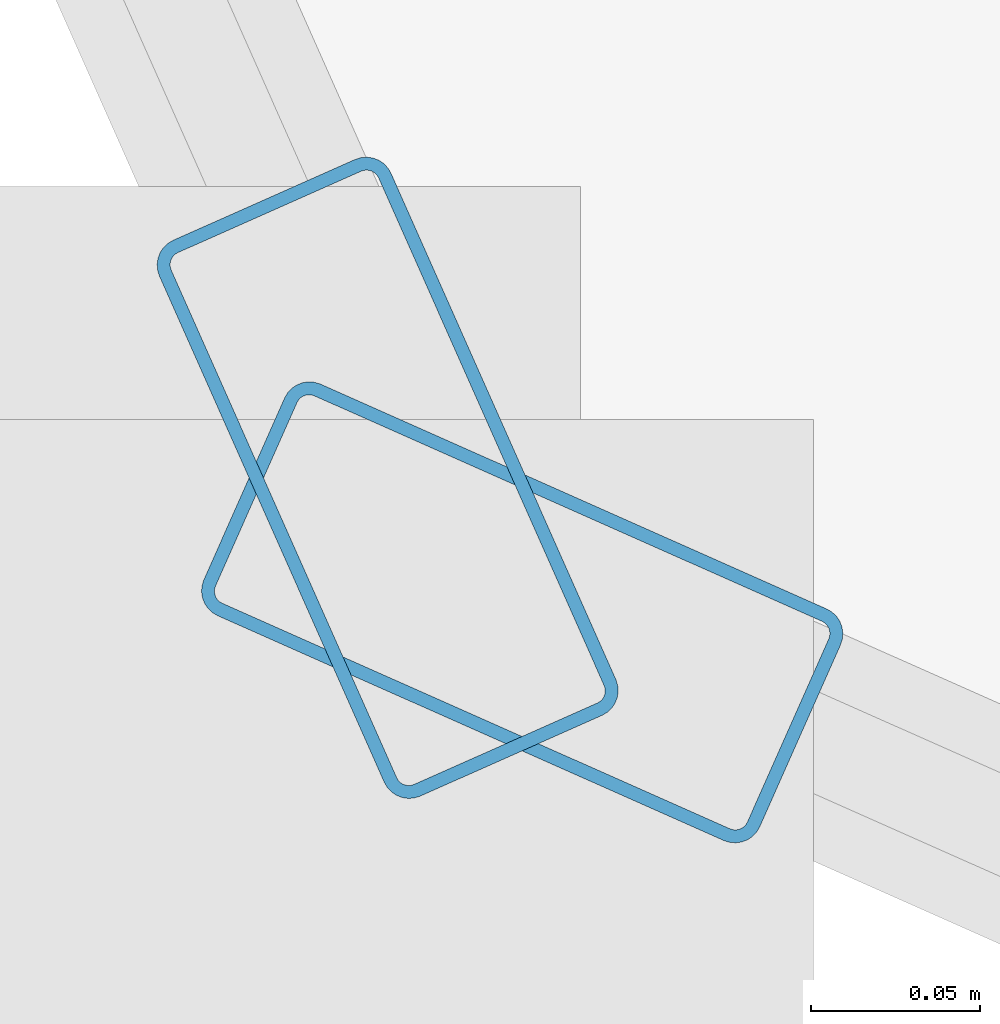
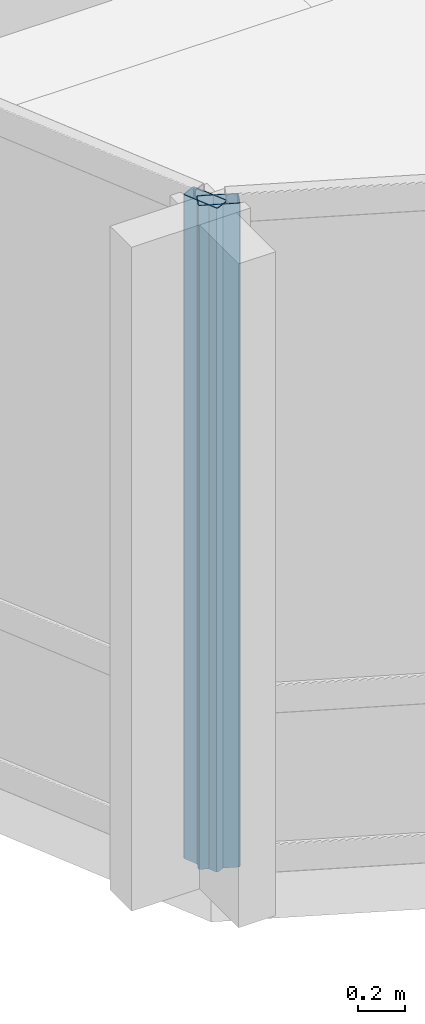
# One storey, part 2 of 34: 2 members, 2 elements without a shape of their own.
"""IFC4 building model written with IfcOpenShell, lengths in metres."""

from ifc_helpers import new_model, si_unit, direction, frame, origin, origin_2d, place, context, subcontext, project, spatial, hollow_rectangle, extrude, material, layer, layer_set, material_profile, profile_set, type_object, element, aggregate, save


model = new_model("IFC4")

# Units and contexts
model_context = context("Model", 3, precision=1e-05, world=origin(), true_north=direction((0.0, 1.0)))
body_context = subcontext(model_context, "Body", "Model", "MODEL_VIEW")
ifc_project = project(units=[si_unit("LENGTHUNIT", "METRE"), si_unit("AREAUNIT", "SQUARE_METRE"), si_unit("VOLUMEUNIT", "CUBIC_METRE"), si_unit("PLANEANGLEUNIT", "RADIAN"), si_unit("MASSUNIT", "GRAM", prefix="KILO")], contexts=[model_context])

# Site, building, storey
site_placement = place(None, origin())
site = spatial("IfcSite", under=ifc_project, at=site_placement, CompositionType="ELEMENT")
building_placement = place(site_placement, origin())
building = spatial("IfcBuilding", under=site, at=building_placement, Name="Solvaryn Broadcast Tower", CompositionType="ELEMENT")
storey_placement = place(building_placement, frame((0.0, 0.0, 39.699951171875)))
storey = spatial("IfcBuildingStorey", under=building, at=storey_placement, Name="L08", CompositionType="ELEMENT", Elevation=39.699951171875)

# Curtain wall, member
ifc_material_1 = material(Name="Aluminium and Terracotta Unitised Curtain Wall", Category="masonry")
ifc_layer = layer(ifc_material_1, 0.199951171875)
ifc_layer_set = layer_set([ifc_layer], Name="CW-SYS2-LOWMID")
curtain_wall_type = type_object("IfcCurtainWallType", Name="CW-SYS2-LOWMID", PredefinedType="NOTDEFINED", material=ifc_layer_set)
curtain_wall_1_placement = place(storey_placement, origin())
curtain_wall_1 = element("IfcCurtainWall", 1, at=curtain_wall_1_placement, inside=storey, type_object=curtain_wall_type, Name="L08 Curtain Wall DR2", PredefinedType="NOTDEFINED")
ifc_material_2 = material(Name="Anodised Aluminium 6063-T6", Category="aluminium")
ifc_material_profile = material_profile(ifc_material_2, hollow_rectangle(XDim=0.074951171875, YDim=0.179931640625, WallThickness=0.00390625, InnerFilletRadius=0.00390625, OuterFilletRadius=0.008056640625, at=origin_2d()))
ifc_profile_set = profile_set([ifc_material_profile], Name="Anodised Aluminium 6063-T6")
member_type = type_object("IfcMemberType", Name="CW-MUL-180", PredefinedType="MULLION", material=ifc_profile_set)
member_1_placement = place(storey_placement, frame((7.834716796875, 7.87451171875, 0.0), z_axis=(0.0, 0.0, 1.0), x_axis=(0.913918257271, 0.405898286554, 0.0)))
member_1 = element("IfcMember", 2, at=member_1_placement, type_object=member_type, Name="CWS2 mullion 2", PredefinedType="MULLION", context=body_context, shape_type="SweptSolid", body=[
    extrude(hollow_rectangle(XDim=0.074951171875, YDim=0.179931640625, WallThickness=0.00390625, InnerFilletRadius=0.00390625, OuterFilletRadius=0.008056640625, at=origin_2d()), origin(), (0.0, 0.0, 1.0), 3.420166015625),
])
aggregate(curtain_wall_1, [member_1])

curtain_wall_2_placement = place(storey_placement, origin())
curtain_wall_2 = element("IfcCurtainWall", 3, at=curtain_wall_2_placement, inside=storey, type_object=curtain_wall_type, Name="L08 Curtain Wall DR3", PredefinedType="NOTDEFINED")
member_2_placement = place(storey_placement, frame((7.87451171875, 7.834716796875, 0.0), z_axis=(0.0, 0.0, 1.0), x_axis=(0.405898286554, 0.913918257271, 0.0)))
member_2 = element("IfcMember", 4, at=member_2_placement, type_object=member_type, Name="CWS2 mullion 1", PredefinedType="MULLION", context=body_context, shape_type="SweptSolid", body=[
    extrude(hollow_rectangle(XDim=0.074951171875, YDim=0.179931640625, WallThickness=0.00390625, InnerFilletRadius=0.00390625, OuterFilletRadius=0.008056640625, at=origin_2d()), origin(), (0.0, 0.0, 1.0), 3.420166015625),
])
aggregate(curtain_wall_2, [member_2])

save(model, "model.ifc")
